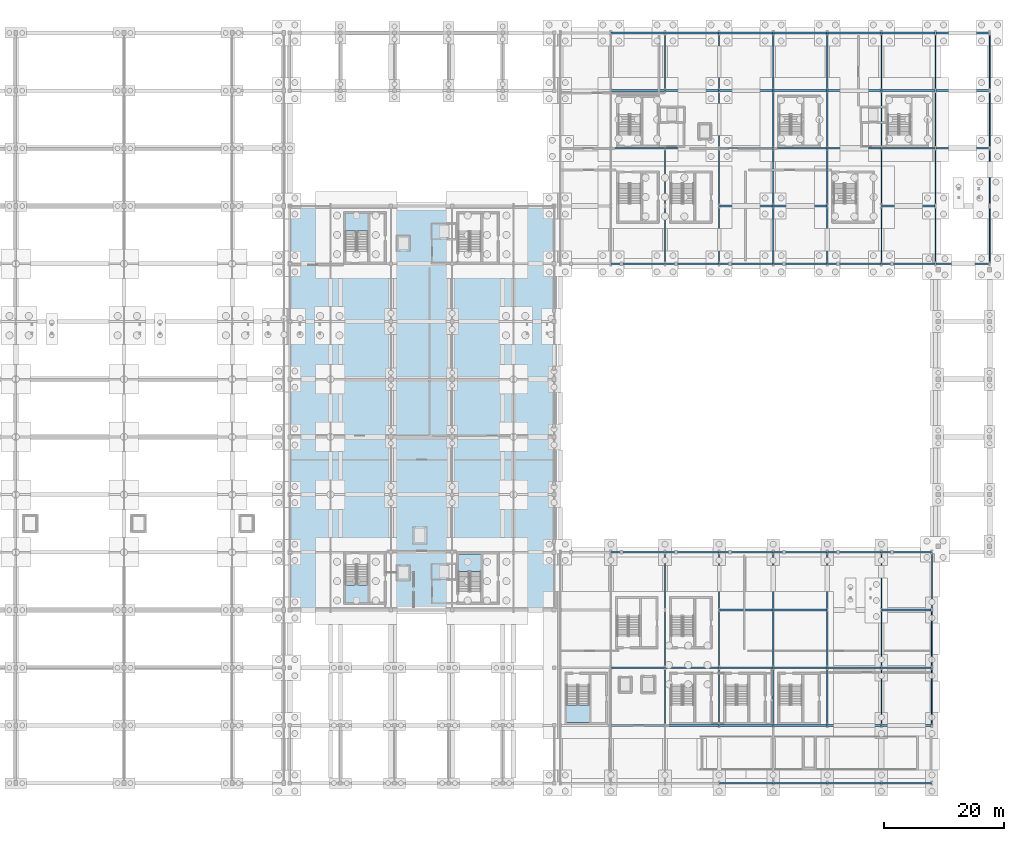
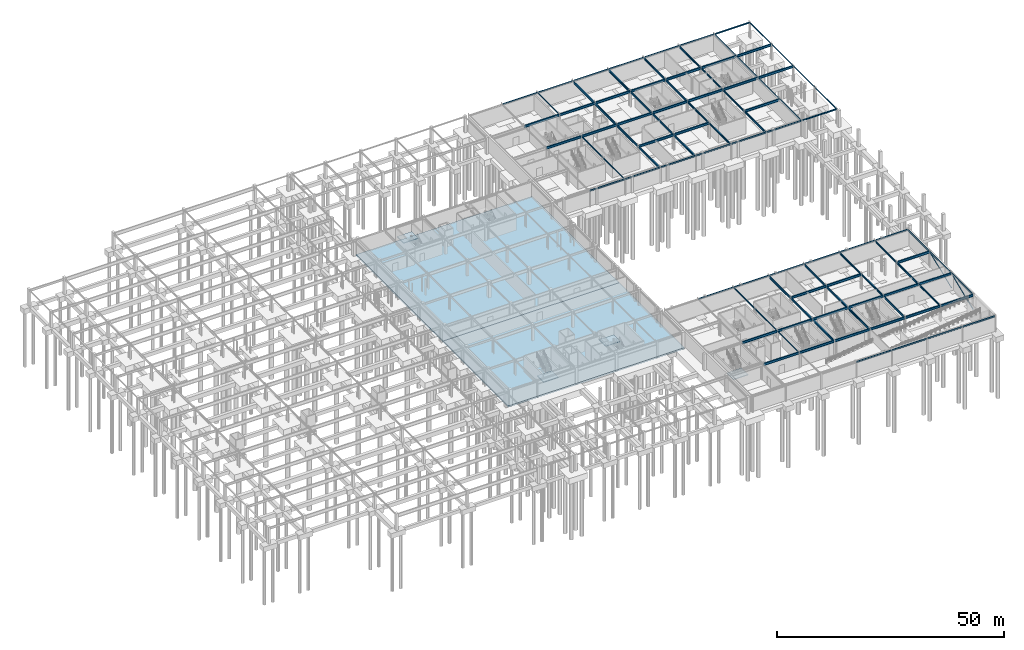
# One storey, part 33 of 59: 101 beams, 6 slabs, 2 members, 4 elements without a shape of their own.
"""IFC4 building model written with IfcOpenShell, lengths in metres."""

import ifcopenshell
import ifcopenshell.guid

model = None  # the IFC model being written
_history = None  # IfcOwnerHistory: only IFC2X3 demands one
_inside = {}  # id of a spatial element -> (the spatial element, [elements in it])
_under = {}  # id of a project, library or spatial element -> (it, [spatial elements below it])
_declared = {}  # id of a project -> (the project, [libraries it declares])
_typed = {}  # id of a type object -> (the type object, [elements of that type])
_made_of = {}  # id of a material, layer set ... -> (it, [elements and type objects made of it])


def new_model(schema):
    """Start an empty IFC model of exactly this schema.

    Asked for "IFC4X3", IfcOpenShell would pick the latest addendum, in which some entities
    have other attributes; the version numbers below select the first issue.
    IFC2X3 requires an IfcOwnerHistory on every rooted entity: one is made here for all.
    """
    global model, _history
    if schema == "IFC4X3":
        model = ifcopenshell.file(schema_version=(4, 3, 0, 0))
    else:
        model = ifcopenshell.file(schema=schema)
    _inside.clear()
    _under.clear()
    _declared.clear()
    _typed.clear()
    _made_of.clear()
    _history = None
    if model.schema == "IFC2X3":
        org = make("IfcOrganization", Name="unknown")
        user = make(
            "IfcPersonAndOrganization",
            ThePerson=make("IfcPerson", FamilyName="unknown"),
            TheOrganization=org,
        )
        app = make(
            "IfcApplication",
            ApplicationDeveloper=org,
            Version="unknown",
            ApplicationFullName="unknown",
            ApplicationIdentifier="unknown",
        )
        _history = make(
            "IfcOwnerHistory",
            OwningUser=user,
            OwningApplication=app,
            ChangeAction="ADDED",
            CreationDate=0,
        )
    return model


def make(cls, **values):
    """One entity of the class cls with the attributes given. An attribute that is None is left unset."""
    return model.create_entity(
        cls, **{name: value for name, value in values.items() if value is not None}
    )


def rooted(cls, **values):
    """An entity with a GlobalId (a new one), such as an element, a storey or a relation."""
    return make(cls, GlobalId=ifcopenshell.guid.new(), OwnerHistory=_history, **values)


def si_unit(unit_type, name, prefix=None):
    """IfcSIUnit, for example si_unit("LENGTHUNIT", "METRE", prefix="MILLI")."""
    return make("IfcSIUnit", UnitType=unit_type, Prefix=prefix, Name=name)


def assignment(units):
    """IfcUnitAssignment: the units of a project."""
    return None if units is None else make("IfcUnitAssignment", Units=units)


def point(xyz):
    """IfcCartesianPoint."""
    return None if xyz is None else make("IfcCartesianPoint", Coordinates=xyz)


def direction(xyz):
    """IfcDirection."""
    return None if xyz is None else make("IfcDirection", DirectionRatios=xyz)


def frame(location, z_axis=None, x_axis=None):
    """IfcAxis2Placement3D, a coordinate frame: its origin and axes. An axis left out is left unset."""
    return make(
        "IfcAxis2Placement3D",
        Location=point(location),
        Axis=direction(z_axis),
        RefDirection=direction(x_axis),
    )


def frame_2d(location, x_axis=None):
    """IfcAxis2Placement2D, a coordinate frame in the plane: its origin and x axis."""
    return make(
        "IfcAxis2Placement2D", Location=point(location), RefDirection=direction(x_axis)
    )


def origin():
    """The frame at (0, 0, 0) with its axes left unset."""
    return frame((0.0, 0.0, 0.0))


def origin_2d():
    """The frame at (0, 0) in the plane with its x axis left unset."""
    return frame_2d((0.0, 0.0))


def place(relative_to, where):
    """IfcLocalPlacement: puts the frame where relative to a parent placement (None: the world)."""
    return make(
        "IfcLocalPlacement", PlacementRelTo=relative_to, RelativePlacement=where
    )


def context(
    kind, dimensions, precision=None, world=None, true_north=None, identifier=None
):
    """IfcGeometricRepresentationContext, for example the 3D "Model" context."""
    return make(
        "IfcGeometricRepresentationContext",
        ContextIdentifier=identifier,
        ContextType=kind,
        CoordinateSpaceDimension=dimensions,
        Precision=precision,
        WorldCoordinateSystem=world,
        TrueNorth=true_north,
    )


def subcontext(parent, identifier, kind, view, scale=None):
    """IfcGeometricRepresentationSubContext, for example "Body" below "Model"."""
    return make(
        "IfcGeometricRepresentationSubContext",
        ContextIdentifier=identifier,
        ContextType=kind,
        ParentContext=parent,
        TargetScale=scale,
        TargetView=view,
    )


def project(units=None, contexts=None):
    """IfcProject with its units and contexts."""
    return rooted(
        "IfcProject",
        Name="project",
        RepresentationContexts=contexts,
        UnitsInContext=assignment(units),
    )


def spatial(cls, under=None, at=None, **own):
    """A site, building, storey or space (cls), placed at a placement, below another one or the project."""
    s = rooted(cls, ObjectPlacement=at, **own)
    if under is not None:
        _under.setdefault(under.id(), (under, []))[1].append(s)
    return s


def polyline(points):
    """IfcPolyline through the points."""
    return make("IfcPolyline", Points=[point(p) for p in points])


def profile(cls, at=None, kind="AREA", **sizes):
    """A parametric profile (cls). Its sizes go by their IFC names, for example OverallWidth=200.0."""
    return make(cls, ProfileType=kind, Position=at, **sizes)


def hollow_rectangle(**sizes):
    """IfcRectangleHollowProfileDef."""
    return profile("IfcRectangleHollowProfileDef", **sizes)


def hollow_circle(**sizes):
    """IfcCircleHollowProfileDef."""
    return profile("IfcCircleHollowProfileDef", **sizes)


def i_section(**sizes):
    """IfcIShapeProfileDef."""
    return profile("IfcIShapeProfileDef", **sizes)


def outline(outer, holes=None, kind="AREA"):
    """IfcArbitraryClosedProfileDef: a profile drawn as a closed curve; with holes, ...WithVoids."""
    if holes is None:
        return make("IfcArbitraryClosedProfileDef", ProfileType=kind, OuterCurve=outer)
    return make(
        "IfcArbitraryProfileDefWithVoids",
        ProfileType=kind,
        OuterCurve=outer,
        InnerCurves=holes,
    )


def extrude(swept, where, along, depth):
    """IfcExtrudedAreaSolid: the profile swept, set in the frame where, extruded along a direction by depth."""
    return make(
        "IfcExtrudedAreaSolid",
        SweptArea=swept,
        Position=where,
        ExtrudedDirection=direction(along),
        Depth=depth,
    )


def shape(context_of_items, identifier, shape_type, items):
    """IfcShapeRepresentation: the items that make up one representation, for example the "Body"."""
    return make(
        "IfcShapeRepresentation",
        ContextOfItems=context_of_items,
        RepresentationIdentifier=identifier,
        RepresentationType=shape_type,
        Items=items,
    )


def material(Name=None, Category=None):
    """IfcMaterial."""
    return make("IfcMaterial", Name=Name, Category=Category)


def layer(
    of_material, thickness, ventilated=None, Name=None, Category=None, Priority=None
):
    """IfcMaterialLayer: one layer of a wall or slab, of a material (None: an air gap)."""
    return make(
        "IfcMaterialLayer",
        Material=of_material,
        LayerThickness=thickness,
        IsVentilated=ventilated,
        Name=Name,
        Category=Category,
        Priority=Priority,
    )


def layer_set(layers, Name=None):
    """IfcMaterialLayerSet."""
    return make("IfcMaterialLayerSet", MaterialLayers=layers, LayerSetName=Name)


def material_profile(
    of_material, cross_section, Name=None, Category=None, Priority=None
):
    """IfcMaterialProfile: a cross section and its material."""
    return make(
        "IfcMaterialProfile",
        Name=Name,
        Material=of_material,
        Profile=cross_section,
        Priority=Priority,
        Category=Category,
    )


def profile_set(profiles, Name=None, composite=None):
    """IfcMaterialProfileSet."""
    return make(
        "IfcMaterialProfileSet",
        Name=Name,
        MaterialProfiles=profiles,
        CompositeProfile=composite,
    )


def made_of(thing, what):
    """Note that an element or type object is made of a material, layer set ...; save() writes the relation."""
    if what is not None:
        _made_of.setdefault(what.id(), (what, []))[1].append(thing)
    return thing


def type_object(cls, material=None, **own):
    """A type object (cls), such as IfcWallType, which elements share."""
    return made_of(rooted(cls, **own), material)


def element(
    cls,
    number,
    at=None,
    inside=None,
    cuts=None,
    type_object=None,
    material=None,
    context=None,
    identifier="Body",
    shape_type=None,
    held_by="IfcProductDefinitionShape",
    body=None,
    shapes=None,
    **own,
):
    """One element of the class cls, such as IfcWall. Its Tag is "e" and its number.

    at: its placement. inside: the storey or other place that contains it. cuts: it is an
    opening in that element (IfcRelVoidsElement). A single representation is given by context,
    identifier, shape_type and body (its items); several are given by shapes. held_by: the class
    of the entity that holds the representations. save() writes the other relations.
    """
    e = rooted(cls, Tag="e%d" % number, ObjectPlacement=at, **own)
    if body is not None:
        shapes = [shape(context, identifier, shape_type, body)]
    if shapes is not None:
        e.Representation = make(held_by, Representations=shapes)
    if inside is not None:
        _inside.setdefault(inside.id(), (inside, []))[1].append(e)
    if cuts is not None:
        rooted(
            "IfcRelVoidsElement", RelatingBuildingElement=cuts, RelatedOpeningElement=e
        )
    if type_object is not None:
        _typed.setdefault(type_object.id(), (type_object, []))[1].append(e)
    return made_of(e, material)


def aggregate(whole, parts):
    """IfcRelAggregates: a whole, such as a stair, and the parts it consists of."""
    return rooted("IfcRelAggregates", RelatingObject=whole, RelatedObjects=parts)


def save(model, path):
    """Write the relations noted so far, then the file.

    IfcRelAggregates (storeys below a building ...), IfcRelContainedInSpatialStructure (elements
    in a storey), IfcRelDefinesByType, IfcRelAssociatesMaterial and IfcRelDeclares: one each for
    every whole, place, type object, material and project.
    """
    for whole, parts in _under.values():
        aggregate(whole, parts)
    for where, things in _inside.values():
        rooted(
            "IfcRelContainedInSpatialStructure",
            RelatedElements=things,
            RelatingStructure=where,
        )
    for kind, things in _typed.values():
        rooted("IfcRelDefinesByType", RelatedObjects=things, RelatingType=kind)
    for what, things in _made_of.values():
        rooted("IfcRelAssociatesMaterial", RelatedObjects=things, RelatingMaterial=what)
    for by, libraries in _declared.values():
        rooted("IfcRelDeclares", RelatingContext=by, RelatedDefinitions=libraries)
    model.write(path)


model = new_model("IFC4")

# Units and contexts
model_context = context("Model", 3, precision=1e-05, world=origin(), true_north=direction((0.0, 1.0)))
body_context = subcontext(model_context, "Body", "Model", "MODEL_VIEW")
ifc_project = project(units=[si_unit("LENGTHUNIT", "METRE"), si_unit("AREAUNIT", "SQUARE_METRE"), si_unit("VOLUMEUNIT", "CUBIC_METRE"), si_unit("PLANEANGLEUNIT", "RADIAN"), si_unit("MASSUNIT", "GRAM", prefix="KILO")], contexts=[model_context])

# Site, building, storey
site_placement = place(None, origin())
site = spatial("IfcSite", under=ifc_project, at=site_placement, CompositionType="ELEMENT")
building_placement = place(site_placement, origin())
building = spatial("IfcBuilding", under=site, at=building_placement, Name="Myrtia Square Station", CompositionType="ELEMENT")
storey_placement = place(building_placement, frame((0.0, 0.0, -4.5)))
storey = spatial("IfcBuildingStorey", under=building, at=storey_placement, Name="B01", CompositionType="ELEMENT", Elevation=-4.5)

# Beams
ifc_material_1 = material(Name="Steel S355", Category="steel")
ifc_material_profile_1 = material_profile(ifc_material_1, i_section(OverallWidth=0.300048828125, OverallDepth=0.60009765625, WebThickness=0.015380859375, FlangeThickness=0.030029296875, FilletRadius=0.027099609375, at=origin_2d()), Name="HEB 600")
ifc_profile_set_1 = profile_set([ifc_material_profile_1], Name="Steel S355")
beam_type_1 = type_object("IfcBeamType", Name="BM-HEB600", PredefinedType="BEAM", material=ifc_profile_set_1)
for number, where, z_axis, x_axis, name in (
    (1, (126.050048828125, 9.60009765625, 3.929931640625), (1.0, 0.0, 0.0), (0.0, 1.0, 0.0), "Structural girder BMX-B01-0141"),
    (2, (135.050048828125, 9.60009765625, 3.929931640625), (1.0, 0.0, 0.0), (0.0, 1.0, 0.0), "Structural girder BMX-B01-0142"),
    (3, (144.050048828125, 9.60009765625, 3.929931640625), (1.0, 0.0, 0.0), (0.0, 1.0, 0.0), "Structural girder BMX-B01-0143"),
    (4, (153.050048828125, 9.60009765625, 3.929931640625), (1.0, 0.0, 0.0), (0.0, 1.0, 0.0), "Structural girder BMX-B01-0144"),
    (5, (162.050048828125, 9.60009765625, 3.929931640625), (1.0, 0.0, 0.0), (0.0, 1.0, 0.0), "Structural girder BMX-B01-0145"),
):
    element("IfcBeam", number, at=place(storey_placement, frame(where, z_axis=z_axis, x_axis=x_axis)), inside=storey, type_object=beam_type_1, Name=name, PredefinedType="BEAM", context=body_context, shape_type="SweptSolid", body=[
        extrude(i_section(OverallWidth=0.300048828125, OverallDepth=0.60009765625, WebThickness=0.015380859375, FlangeThickness=0.030029296875, FilletRadius=0.027099609375, at=origin_2d()), origin(), (0.0, 0.0, 1.0), 8.89990234375),
    ])
beam_1_placement = place(storey_placement, frame((171.050048828125, 9.60009765625, 3.929931640625), z_axis=(1.0, 0.0, 0.0), x_axis=(0.0, 1.0, 0.0)))
element("IfcBeam", 6, at=beam_1_placement, inside=storey, type_object=beam_type_1, Name="Structural girder BMX-B01-0146", PredefinedType="BEAM", context=body_context, shape_type="SweptSolid", body=[
    extrude(i_section(OverallWidth=0.300048828125, OverallDepth=0.60009765625, WebThickness=0.015380859375, FlangeThickness=0.030029296875, FilletRadius=0.027099609375, at=origin_2d()), origin(), (0.0, 0.0, 1.0), 8.300048828125),
])
for number, where, z_axis, x_axis, name in (
    (7, (126.050048828125, 19.199951171875, 3.929931640625), (1.0, 0.0, 0.0), (0.0, 1.0, 0.0), "Structural girder BMX-B01-0148"),
    (8, (135.050048828125, 19.199951171875, 3.929931640625), (1.0, 0.0, 0.0), (0.0, 1.0, 0.0), "Structural girder BMX-B01-0149"),
    (9, (144.050048828125, 19.199951171875, 3.929931640625), (1.0, 0.0, 0.0), (0.0, 1.0, 0.0), "Structural girder BMX-B01-0150"),
    (10, (153.050048828125, 19.199951171875, 3.929931640625), (1.0, 0.0, 0.0), (0.0, 1.0, 0.0), "Structural girder BMX-B01-0151"),
    (11, (162.050048828125, 19.199951171875, 3.929931640625), (1.0, 0.0, 0.0), (0.0, 1.0, 0.0), "Structural girder BMX-B01-0152"),
):
    element("IfcBeam", number, at=place(storey_placement, frame(where, z_axis=z_axis, x_axis=x_axis)), inside=storey, type_object=beam_type_1, Name=name, PredefinedType="BEAM", context=body_context, shape_type="SweptSolid", body=[
        extrude(i_section(OverallWidth=0.300048828125, OverallDepth=0.60009765625, WebThickness=0.015380859375, FlangeThickness=0.030029296875, FilletRadius=0.027099609375, at=origin_2d()), origin(), (0.0, 0.0, 1.0), 8.89990234375),
    ])
beam_2_placement = place(storey_placement, frame((171.050048828125, 19.199951171875, 3.929931640625), z_axis=(1.0, 0.0, 0.0), x_axis=(0.0, 1.0, 0.0)))
element("IfcBeam", 12, at=beam_2_placement, inside=storey, type_object=beam_type_1, Name="Structural girder BMX-B01-0153", PredefinedType="BEAM", context=body_context, shape_type="SweptSolid", body=[
    extrude(i_section(OverallWidth=0.300048828125, OverallDepth=0.60009765625, WebThickness=0.015380859375, FlangeThickness=0.030029296875, FilletRadius=0.027099609375, at=origin_2d()), origin(), (0.0, 0.0, 1.0), 8.300048828125),
])
for number, where, z_axis, x_axis, name in (
    (13, (144.050048828125, 28.800048828125, 3.929931640625), (1.0, 0.0, 0.0), (0.0, 1.0, 0.0), "Structural girder BMX-B01-0155"),
    (14, (153.050048828125, 28.800048828125, 3.929931640625), (1.0, 0.0, 0.0), (0.0, 1.0, 0.0), "Structural girder BMX-B01-0156"),
):
    element("IfcBeam", number, at=place(storey_placement, frame(where, z_axis=z_axis, x_axis=x_axis)), inside=storey, type_object=beam_type_1, Name=name, PredefinedType="BEAM", context=body_context, shape_type="SweptSolid", body=[
        extrude(i_section(OverallWidth=0.300048828125, OverallDepth=0.60009765625, WebThickness=0.015380859375, FlangeThickness=0.030029296875, FilletRadius=0.027099609375, at=origin_2d()), origin(), (0.0, 0.0, 1.0), 8.89990234375),
    ])
beam_3_placement = place(storey_placement, frame((171.050048828125, 28.800048828125, 3.929931640625), z_axis=(1.0, 0.0, 0.0), x_axis=(0.0, 1.0, 0.0)))
element("IfcBeam", 15, at=beam_3_placement, inside=storey, type_object=beam_type_1, Name="Structural girder BMX-B01-0157", PredefinedType="BEAM", context=body_context, shape_type="SweptSolid", body=[
    extrude(i_section(OverallWidth=0.300048828125, OverallDepth=0.60009765625, WebThickness=0.015380859375, FlangeThickness=0.030029296875, FilletRadius=0.027099609375, at=origin_2d()), origin(), (0.0, 0.0, 1.0), 8.300048828125),
])
for number, where, z_axis, x_axis, name in (
    (16, (144.050048828125, 96.0, 3.929931640625), (1.0, 0.0, 0.0), (0.0, 1.0, 0.0), "Structural girder BMX-B01-0191"),
    (17, (153.050048828125, 96.0, 3.929931640625), (1.0, 0.0, 0.0), (0.0, 1.0, 0.0), "Structural girder BMX-B01-0192"),
    (18, (171.050048828125, 96.0, 3.929931640625), (1.0, 0.0, 0.0), (0.0, 1.0, 0.0), "Structural girder BMX-B01-0193"),
    (19, (126.050048828125, 105.60009765625, 3.929931640625), (1.0, 0.0, 0.0), (0.0, 1.0, 0.0), "Structural girder BMX-B01-0195"),
    (20, (135.050048828125, 105.60009765625, 3.929931640625), (1.0, 0.0, 0.0), (0.0, 1.0, 0.0), "Structural girder BMX-B01-0196"),
    (21, (144.050048828125, 105.60009765625, 3.929931640625), (1.0, 0.0, 0.0), (0.0, 1.0, 0.0), "Structural girder BMX-B01-0197"),
    (22, (153.050048828125, 105.60009765625, 3.929931640625), (1.0, 0.0, 0.0), (0.0, 1.0, 0.0), "Structural girder BMX-B01-0198"),
    (23, (162.050048828125, 105.60009765625, 3.929931640625), (1.0, 0.0, 0.0), (0.0, 1.0, 0.0), "Structural girder BMX-B01-0199"),
    (24, (171.050048828125, 105.60009765625, 3.929931640625), (1.0, 0.0, 0.0), (0.0, 1.0, 0.0), "Structural girder BMX-B01-0200"),
    (25, (180.050048828125, 105.60009765625, 3.929931640625), (1.0, 0.0, 0.0), (0.0, 1.0, 0.0), "Structural girder BMX-B01-0201"),
    (26, (126.050048828125, 115.199951171875, 3.929931640625), (1.0, 0.0, 0.0), (0.0, 1.0, 0.0), "Structural girder BMX-B01-0208"),
    (27, (135.050048828125, 115.199951171875, 3.929931640625), (1.0, 0.0, 0.0), (0.0, 1.0, 0.0), "Structural girder BMX-B01-0209"),
    (28, (144.050048828125, 115.199951171875, 3.929931640625), (1.0, 0.0, 0.0), (0.0, 1.0, 0.0), "Structural girder BMX-B01-0210"),
    (29, (153.050048828125, 115.199951171875, 3.929931640625), (1.0, 0.0, 0.0), (0.0, 1.0, 0.0), "Structural girder BMX-B01-0211"),
    (30, (162.050048828125, 115.199951171875, 3.929931640625), (1.0, 0.0, 0.0), (0.0, 1.0, 0.0), "Structural girder BMX-B01-0212"),
    (31, (171.050048828125, 115.199951171875, 3.929931640625), (1.0, 0.0, 0.0), (0.0, 1.0, 0.0), "Structural girder BMX-B01-0213"),
    (32, (180.050048828125, 115.199951171875, 3.929931640625), (1.0, 0.0, 0.0), (0.0, 1.0, 0.0), "Structural girder BMX-B01-0214"),
):
    element("IfcBeam", number, at=place(storey_placement, frame(where, z_axis=z_axis, x_axis=x_axis)), inside=storey, type_object=beam_type_1, Name=name, PredefinedType="BEAM", context=body_context, shape_type="SweptSolid", body=[
        extrude(i_section(OverallWidth=0.300048828125, OverallDepth=0.60009765625, WebThickness=0.015380859375, FlangeThickness=0.030029296875, FilletRadius=0.027099609375, at=origin_2d()), origin(), (0.0, 0.0, 1.0), 8.89990234375),
    ])
ifc_material_profile_2 = material_profile(ifc_material_1, i_section(OverallWidth=0.135009765625, OverallDepth=0.27001953125, WebThickness=0.006591796875, FlangeThickness=0.01025390625, FilletRadius=0.014892578125, at=origin_2d()), Name="IPE 270")
ifc_profile_set_2 = profile_set([ifc_material_profile_2], Name="Steel S355")
beam_type_2 = type_object("IfcBeamType", Name="BM-IPE270", PredefinedType="BEAM", material=ifc_profile_set_2)
for number, where, z_axis, x_axis, name in (
    (33, (135.0, 9.64990234375, 4.094970703125), (0.0, 1.0, 0.0), (-1.0, 0.0, 0.0), "Structural girder BMY-B01-0172"),
    (34, (135.0, 19.25, 4.094970703125), (0.0, 1.0, 0.0), (-1.0, 0.0, 0.0), "Structural girder BMY-B01-0173"),
    (35, (135.0, 28.85009765625, 4.094970703125), (0.0, 1.0, 0.0), (-1.0, 0.0, 0.0), "Structural girder BMY-B01-0174"),
    (36, (135.0, 86.449951171875, 4.094970703125), (0.0, 1.0, 0.0), (-1.0, 0.0, 0.0), "Structural girder BMY-B01-0228"),
    (37, (135.0, 96.050048828125, 4.094970703125), (0.0, 1.0, 0.0), (-1.0, 0.0, 0.0), "Structural girder BMY-B01-0229"),
    (38, (135.0, 115.25, 4.094970703125), (0.0, 1.0, 0.0), (-1.0, 0.0, 0.0), "Structural girder BMY-B01-0230"),
):
    element("IfcBeam", number, at=place(storey_placement, frame(where, z_axis=z_axis, x_axis=x_axis)), inside=storey, type_object=beam_type_2, Name=name, PredefinedType="BEAM", context=body_context, shape_type="SweptSolid", body=[
        extrude(i_section(OverallWidth=0.135009765625, OverallDepth=0.27001953125, WebThickness=0.006591796875, FlangeThickness=0.01025390625, FilletRadius=0.014892578125, at=origin_2d()), origin(), (0.0, 0.0, 1.0), 9.5),
    ])
ifc_material_profile_3 = material_profile(ifc_material_1, i_section(OverallWidth=0.179931640625, OverallDepth=0.39990234375, WebThickness=0.008544921875, FlangeThickness=0.013427734375, FilletRadius=0.02099609375, at=origin_2d()), Name="IPE 400")
ifc_profile_set_3 = profile_set([ifc_material_profile_3], Name="Steel S355")
beam_type_3 = type_object("IfcBeamType", Name="BM-IPE400", PredefinedType="BEAM", material=ifc_profile_set_3)
for number, where, z_axis, x_axis, name in (
    (39, (179.39990234375, 9.64990234375, 4.030029296875), (0.0, 1.0, 0.0), (-1.0, 0.0, 0.0), "Structural girder BMY-B01-0187"),
    (40, (179.39990234375, 19.25, 4.030029296875), (0.0, 1.0, 0.0), (-1.0, 0.0, 0.0), "Structural girder BMY-B01-0188"),
    (41, (179.39990234375, 28.85009765625, 4.030029296875), (0.0, 1.0, 0.0), (-1.0, 0.0, 0.0), "Structural girder BMY-B01-0189"),
    (42, (180.0, 86.449951171875, 4.030029296875), (0.0, 1.0, 0.0), (-1.0, 0.0, 0.0), "Structural girder BMY-B01-0247"),
    (43, (180.0, 96.050048828125, 4.030029296875), (0.0, 1.0, 0.0), (-1.0, 0.0, 0.0), "Structural girder BMY-B01-0248"),
    (44, (180.0, 105.64990234375, 4.030029296875), (0.0, 1.0, 0.0), (-1.0, 0.0, 0.0), "Structural girder BMY-B01-0249"),
    (45, (180.0, 115.25, 4.030029296875), (0.0, 1.0, 0.0), (-1.0, 0.0, 0.0), "Structural girder BMY-B01-0250"),
):
    element("IfcBeam", number, at=place(storey_placement, frame(where, z_axis=z_axis, x_axis=x_axis)), inside=storey, type_object=beam_type_3, Name=name, PredefinedType="BEAM", context=body_context, shape_type="SweptSolid", body=[
        extrude(i_section(OverallWidth=0.179931640625, OverallDepth=0.39990234375, WebThickness=0.008544921875, FlangeThickness=0.013427734375, FilletRadius=0.02099609375, at=origin_2d()), origin(), (0.0, 0.0, 1.0), 9.5),
    ])
ifc_material_profile_4 = material_profile(ifc_material_1, i_section(OverallWidth=0.18994140625, OverallDepth=0.449951171875, WebThickness=0.009521484375, FlangeThickness=0.0146484375, FilletRadius=0.02099609375, at=origin_2d()), Name="IPE 450")
ifc_profile_set_4 = profile_set([ifc_material_profile_4], Name="Steel S355")
beam_type_4 = type_object("IfcBeamType", Name="BM-IPE450", PredefinedType="BEAM", material=ifc_profile_set_4)
for number, where, z_axis, x_axis, name in (
    (46, (171.0, 9.64990234375, 4.0048828125), (0.0, 1.0, 0.0), (-1.0, 0.0, 0.0), "Structural girder BMY-B01-0184"),
    (47, (171.0, 19.25, 4.0048828125), (0.0, 1.0, 0.0), (-1.0, 0.0, 0.0), "Structural girder BMY-B01-0185"),
    (48, (171.0, 28.85009765625, 4.0048828125), (0.0, 1.0, 0.0), (-1.0, 0.0, 0.0), "Structural girder BMY-B01-0186"),
    (49, (171.0, 86.449951171875, 4.0048828125), (0.0, 1.0, 0.0), (-1.0, 0.0, 0.0), "Structural girder BMY-B01-0243"),
    (50, (171.0, 96.050048828125, 4.0048828125), (0.0, 1.0, 0.0), (-1.0, 0.0, 0.0), "Structural girder BMY-B01-0244"),
    (51, (171.0, 105.64990234375, 4.0048828125), (0.0, 1.0, 0.0), (-1.0, 0.0, 0.0), "Structural girder BMY-B01-0245"),
    (52, (171.0, 115.25, 4.0048828125), (0.0, 1.0, 0.0), (-1.0, 0.0, 0.0), "Structural girder BMY-B01-0246"),
):
    element("IfcBeam", number, at=place(storey_placement, frame(where, z_axis=z_axis, x_axis=x_axis)), inside=storey, type_object=beam_type_4, Name=name, PredefinedType="BEAM", context=body_context, shape_type="SweptSolid", body=[
        extrude(i_section(OverallWidth=0.18994140625, OverallDepth=0.449951171875, WebThickness=0.009521484375, FlangeThickness=0.0146484375, FilletRadius=0.02099609375, at=origin_2d()), origin(), (0.0, 0.0, 1.0), 9.5),
    ])
ifc_material_profile_5 = material_profile(ifc_material_1, i_section(OverallWidth=0.199951171875, OverallDepth=0.5, WebThickness=0.01025390625, FlangeThickness=0.01611328125, FilletRadius=0.02099609375, at=origin_2d()), Name="IPE 500")
ifc_profile_set_5 = profile_set([ifc_material_profile_5], Name="Steel S355")
beam_type_5 = type_object("IfcBeamType", Name="BM-IPE500", PredefinedType="BEAM", material=ifc_profile_set_5)
for number, where, z_axis, x_axis, name in (
    (53, (162.0, 9.64990234375, 3.97998046875), (0.0, 1.0, 0.0), (-1.0, 0.0, 0.0), "Structural girder BMY-B01-0181"),
    (54, (162.0, 19.25, 3.97998046875), (0.0, 1.0, 0.0), (-1.0, 0.0, 0.0), "Structural girder BMY-B01-0182"),
    (55, (162.0, 28.85009765625, 3.97998046875), (0.0, 1.0, 0.0), (-1.0, 0.0, 0.0), "Structural girder BMY-B01-0183"),
    (56, (162.0, 86.449951171875, 3.97998046875), (0.0, 1.0, 0.0), (-1.0, 0.0, 0.0), "Structural girder BMY-B01-0239"),
    (57, (162.0, 96.050048828125, 3.97998046875), (0.0, 1.0, 0.0), (-1.0, 0.0, 0.0), "Structural girder BMY-B01-0240"),
    (58, (162.0, 105.64990234375, 3.97998046875), (0.0, 1.0, 0.0), (-1.0, 0.0, 0.0), "Structural girder BMY-B01-0241"),
    (59, (162.0, 115.25, 3.97998046875), (0.0, 1.0, 0.0), (-1.0, 0.0, 0.0), "Structural girder BMY-B01-0242"),
):
    element("IfcBeam", number, at=place(storey_placement, frame(where, z_axis=z_axis, x_axis=x_axis)), inside=storey, type_object=beam_type_5, Name=name, PredefinedType="BEAM", context=body_context, shape_type="SweptSolid", body=[
        extrude(i_section(OverallWidth=0.199951171875, OverallDepth=0.5, WebThickness=0.01025390625, FlangeThickness=0.01611328125, FilletRadius=0.02099609375, at=origin_2d()), origin(), (0.0, 0.0, 1.0), 9.5),
    ])
ifc_material_profile_6 = material_profile(ifc_material_1, i_section(OverallWidth=0.2099609375, OverallDepth=0.550048828125, WebThickness=0.010986328125, FlangeThickness=0.01708984375, FilletRadius=0.02392578125, at=origin_2d()), Name="IPE 550")
ifc_profile_set_6 = profile_set([ifc_material_profile_6], Name="Steel S355")
beam_type_6 = type_object("IfcBeamType", Name="BM-IPE550", PredefinedType="BEAM", material=ifc_profile_set_6)
for number, where, z_axis, x_axis, name in (
    (60, (153.0, 9.64990234375, 3.955078125), (0.0, 1.0, 0.0), (-1.0, 0.0, 0.0), "Structural girder BMY-B01-0178"),
    (61, (153.0, 19.25, 3.955078125), (0.0, 1.0, 0.0), (-1.0, 0.0, 0.0), "Structural girder BMY-B01-0179"),
    (62, (153.0, 28.85009765625, 3.955078125), (0.0, 1.0, 0.0), (-1.0, 0.0, 0.0), "Structural girder BMY-B01-0180"),
    (63, (153.0, 86.449951171875, 3.955078125), (0.0, 1.0, 0.0), (-1.0, 0.0, 0.0), "Structural girder BMY-B01-0235"),
    (64, (153.0, 96.050048828125, 3.955078125), (0.0, 1.0, 0.0), (-1.0, 0.0, 0.0), "Structural girder BMY-B01-0236"),
    (65, (153.0, 105.64990234375, 3.955078125), (0.0, 1.0, 0.0), (-1.0, 0.0, 0.0), "Structural girder BMY-B01-0237"),
    (66, (153.0, 115.25, 3.955078125), (0.0, 1.0, 0.0), (-1.0, 0.0, 0.0), "Structural girder BMY-B01-0238"),
):
    element("IfcBeam", number, at=place(storey_placement, frame(where, z_axis=z_axis, x_axis=x_axis)), inside=storey, type_object=beam_type_6, Name=name, PredefinedType="BEAM", context=body_context, shape_type="SweptSolid", body=[
        extrude(i_section(OverallWidth=0.2099609375, OverallDepth=0.550048828125, WebThickness=0.010986328125, FlangeThickness=0.01708984375, FilletRadius=0.02392578125, at=origin_2d()), origin(), (0.0, 0.0, 1.0), 9.5),
    ])
ifc_material_profile_7 = material_profile(ifc_material_1, i_section(OverallWidth=0.219970703125, OverallDepth=0.60009765625, WebThickness=0.011962890625, FlangeThickness=0.01904296875, FilletRadius=0.02392578125, at=origin_2d()), Name="IPE 600")
ifc_profile_set_7 = profile_set([ifc_material_profile_7], Name="Steel S355")
beam_type_7 = type_object("IfcBeamType", Name="BM-IPE600", PredefinedType="BEAM", material=ifc_profile_set_7)
for number, where, z_axis, x_axis, name in (
    (67, (144.0, 9.64990234375, 3.929931640625), (0.0, 1.0, 0.0), (-1.0, 0.0, 0.0), "Structural girder BMY-B01-0175"),
    (68, (144.0, 19.25, 3.929931640625), (0.0, 1.0, 0.0), (-1.0, 0.0, 0.0), "Structural girder BMY-B01-0176"),
    (69, (144.0, 28.85009765625, 3.929931640625), (0.0, 1.0, 0.0), (-1.0, 0.0, 0.0), "Structural girder BMY-B01-0177"),
    (70, (144.0, 86.449951171875, 3.929931640625), (0.0, 1.0, 0.0), (-1.0, 0.0, 0.0), "Structural girder BMY-B01-0231"),
    (71, (144.0, 96.050048828125, 3.929931640625), (0.0, 1.0, 0.0), (-1.0, 0.0, 0.0), "Structural girder BMY-B01-0232"),
    (72, (144.0, 105.64990234375, 3.929931640625), (0.0, 1.0, 0.0), (-1.0, 0.0, 0.0), "Structural girder BMY-B01-0233"),
    (73, (144.0, 115.25, 3.929931640625), (0.0, 1.0, 0.0), (-1.0, 0.0, 0.0), "Structural girder BMY-B01-0234"),
):
    element("IfcBeam", number, at=place(storey_placement, frame(where, z_axis=z_axis, x_axis=x_axis)), inside=storey, type_object=beam_type_7, Name=name, PredefinedType="BEAM", context=body_context, shape_type="SweptSolid", body=[
        extrude(i_section(OverallWidth=0.219970703125, OverallDepth=0.60009765625, WebThickness=0.011962890625, FlangeThickness=0.01904296875, FilletRadius=0.02392578125, at=origin_2d()), origin(), (0.0, 0.0, 1.0), 9.5),
    ])

# Members
ifc_material_profile_8 = material_profile(ifc_material_1, hollow_circle(Radius=0.06982421875, WallThickness=0.008056640625, at=origin_2d()), Name="CHS 139.7x8")
ifc_profile_set_8 = profile_set([ifc_material_profile_8], Name="Steel S355")
member_type = type_object("IfcMemberType", Name="BRC-CHS139", PredefinedType="BRACE", material=ifc_profile_set_8)
member_1_placement = place(storey_placement, frame((179.39990234375, 9.60009765625, 0.10009765625), z_axis=(0.0, 0.924777429869, 0.380508482436), x_axis=(-1.0, 0.0, 0.0)))
element("IfcMember", 74, at=member_1_placement, inside=storey, type_object=member_type, Name="Seismic concentrically braced frame BF-B01-07", PredefinedType="BRACE", context=body_context, shape_type="SweptSolid", body=[
    extrude(hollow_circle(Radius=0.06982421875, WallThickness=0.008056640625, at=origin_2d()), origin(), (0.0, 0.0, 1.0), 10.380615234375),
])
member_2_placement = place(storey_placement, frame((179.39990234375, 19.199951171875, 0.10009765625), z_axis=(0.0, 0.924780834948, 0.380500206719), x_axis=(-1.0, 0.0, 0.0)))
element("IfcMember", 75, at=member_2_placement, inside=storey, type_object=member_type, Name="Seismic concentrically braced frame BF-B01-08", PredefinedType="BRACE", context=body_context, shape_type="SweptSolid", body=[
    extrude(hollow_circle(Radius=0.06982421875, WallThickness=0.008056640625, at=origin_2d()), origin(), (0.0, 0.0, 1.0), 10.380859375),
])

# Beams
ifc_material_profile_9 = material_profile(ifc_material_1, i_section(OverallWidth=0.280029296875, OverallDepth=0.280029296875, WebThickness=0.010498046875, FlangeThickness=0.01806640625, FilletRadius=0.02392578125, at=origin_2d()), Name="HEB 280")
ifc_profile_set_9 = profile_set([ifc_material_profile_9], Name="Steel S355")
beam_type_8 = type_object("IfcBeamType", Name="SPN-HEB280", PredefinedType="SPANDREL", material=ifc_profile_set_9)
for number, where, z_axis, x_axis, name in (
    (76, (144.050048828125, 0.0, 4.090087890625), (1.0, 0.0, 0.0), (0.0, 1.0, 0.0), "Structural girder SPN-B01-0033"),
    (77, (153.050048828125, 0.0, 4.090087890625), (1.0, 0.0, 0.0), (0.0, 1.0, 0.0), "Structural girder SPN-B01-0034"),
    (78, (162.050048828125, 0.0, 4.090087890625), (1.0, 0.0, 0.0), (0.0, 1.0, 0.0), "Structural girder SPN-B01-0035"),
):
    element("IfcBeam", number, at=place(storey_placement, frame(where, z_axis=z_axis, x_axis=x_axis)), inside=storey, type_object=beam_type_8, Name=name, PredefinedType="SPANDREL", context=body_context, shape_type="SweptSolid", body=[
        extrude(i_section(OverallWidth=0.280029296875, OverallDepth=0.280029296875, WebThickness=0.010498046875, FlangeThickness=0.01806640625, FilletRadius=0.02392578125, at=origin_2d()), origin(), (0.0, 0.0, 1.0), 8.89990234375),
    ])
beam_4_placement = place(storey_placement, frame((171.050048828125, 0.0, 4.090087890625), z_axis=(1.0, 0.0, 0.0), x_axis=(0.0, 1.0, 0.0)))
element("IfcBeam", 79, at=beam_4_placement, inside=storey, type_object=beam_type_8, Name="Structural girder SPN-B01-0036", PredefinedType="SPANDREL", context=body_context, shape_type="SweptSolid", body=[
    extrude(i_section(OverallWidth=0.280029296875, OverallDepth=0.280029296875, WebThickness=0.010498046875, FlangeThickness=0.01806640625, FilletRadius=0.02392578125, at=origin_2d()), origin(), (0.0, 0.0, 1.0), 8.300048828125),
])
for number, where, z_axis, x_axis, name in (
    (80, (126.050048828125, 38.39990234375, 4.090087890625), (1.0, 0.0, 0.0), (0.0, 1.0, 0.0), "Structural girder SPN-B01-0038"),
    (81, (135.050048828125, 38.39990234375, 4.090087890625), (1.0, 0.0, 0.0), (0.0, 1.0, 0.0), "Structural girder SPN-B01-0039"),
    (82, (144.050048828125, 38.39990234375, 4.090087890625), (1.0, 0.0, 0.0), (0.0, 1.0, 0.0), "Structural girder SPN-B01-0040"),
    (83, (153.050048828125, 38.39990234375, 4.090087890625), (1.0, 0.0, 0.0), (0.0, 1.0, 0.0), "Structural girder SPN-B01-0041"),
    (84, (162.050048828125, 38.39990234375, 4.090087890625), (1.0, 0.0, 0.0), (0.0, 1.0, 0.0), "Structural girder SPN-B01-0042"),
):
    element("IfcBeam", number, at=place(storey_placement, frame(where, z_axis=z_axis, x_axis=x_axis)), inside=storey, type_object=beam_type_8, Name=name, PredefinedType="SPANDREL", context=body_context, shape_type="SweptSolid", body=[
        extrude(i_section(OverallWidth=0.280029296875, OverallDepth=0.280029296875, WebThickness=0.010498046875, FlangeThickness=0.01806640625, FilletRadius=0.02392578125, at=origin_2d()), origin(), (0.0, 0.0, 1.0), 8.89990234375),
    ])
beam_5_placement = place(storey_placement, frame((171.050048828125, 38.39990234375, 4.090087890625), z_axis=(1.0, 0.0, 0.0), x_axis=(0.0, 1.0, 0.0)))
element("IfcBeam", 85, at=beam_5_placement, inside=storey, type_object=beam_type_8, Name="Structural girder SPN-B01-0043", PredefinedType="SPANDREL", context=body_context, shape_type="SweptSolid", body=[
    extrude(i_section(OverallWidth=0.280029296875, OverallDepth=0.280029296875, WebThickness=0.010498046875, FlangeThickness=0.01806640625, FilletRadius=0.02392578125, at=origin_2d()), origin(), (0.0, 0.0, 1.0), 8.300048828125),
])
for number, where, z_axis, x_axis, name in (
    (86, (126.050048828125, 86.39990234375, 4.090087890625), (1.0, 0.0, 0.0), (0.0, 1.0, 0.0), "Structural girder SPN-B01-0046"),
    (87, (135.050048828125, 86.39990234375, 4.090087890625), (1.0, 0.0, 0.0), (0.0, 1.0, 0.0), "Structural girder SPN-B01-0047"),
    (88, (144.050048828125, 86.39990234375, 4.090087890625), (1.0, 0.0, 0.0), (0.0, 1.0, 0.0), "Structural girder SPN-B01-0048"),
    (89, (153.050048828125, 86.39990234375, 4.090087890625), (1.0, 0.0, 0.0), (0.0, 1.0, 0.0), "Structural girder SPN-B01-0049"),
    (90, (162.050048828125, 86.39990234375, 4.090087890625), (1.0, 0.0, 0.0), (0.0, 1.0, 0.0), "Structural girder SPN-B01-0050"),
    (91, (171.050048828125, 86.39990234375, 4.090087890625), (1.0, 0.0, 0.0), (0.0, 1.0, 0.0), "Structural girder SPN-B01-0051"),
    (92, (180.050048828125, 86.39990234375, 4.090087890625), (1.0, 0.0, 0.0), (0.0, 1.0, 0.0), "Structural girder SPN-B01-0052"),
    (93, (126.050048828125, 124.800048828125, 4.090087890625), (1.0, 0.0, 0.0), (0.0, 1.0, 0.0), "Structural girder SPN-B01-0059"),
    (94, (135.050048828125, 124.800048828125, 4.090087890625), (1.0, 0.0, 0.0), (0.0, 1.0, 0.0), "Structural girder SPN-B01-0060"),
    (95, (144.050048828125, 124.800048828125, 4.090087890625), (1.0, 0.0, 0.0), (0.0, 1.0, 0.0), "Structural girder SPN-B01-0061"),
    (96, (153.050048828125, 124.800048828125, 4.090087890625), (1.0, 0.0, 0.0), (0.0, 1.0, 0.0), "Structural girder SPN-B01-0062"),
    (97, (162.050048828125, 124.800048828125, 4.090087890625), (1.0, 0.0, 0.0), (0.0, 1.0, 0.0), "Structural girder SPN-B01-0063"),
    (98, (171.050048828125, 124.800048828125, 4.090087890625), (1.0, 0.0, 0.0), (0.0, 1.0, 0.0), "Structural girder SPN-B01-0064"),
    (99, (180.050048828125, 124.800048828125, 4.090087890625), (1.0, 0.0, 0.0), (0.0, 1.0, 0.0), "Structural girder SPN-B01-0065"),
):
    element("IfcBeam", number, at=place(storey_placement, frame(where, z_axis=z_axis, x_axis=x_axis)), inside=storey, type_object=beam_type_8, Name=name, PredefinedType="SPANDREL", context=body_context, shape_type="SweptSolid", body=[
        extrude(i_section(OverallWidth=0.280029296875, OverallDepth=0.280029296875, WebThickness=0.010498046875, FlangeThickness=0.01806640625, FilletRadius=0.02392578125, at=origin_2d()), origin(), (0.0, 0.0, 1.0), 8.89990234375),
    ])
ifc_material_profile_10 = material_profile(ifc_material_1, hollow_rectangle(XDim=0.14990234375, YDim=0.25, WallThickness=0.012451171875, InnerFilletRadius=0.012451171875, OuterFilletRadius=0.02490234375, at=origin_2d()), Name="RHS 250x150x12.5")
ifc_profile_set_10 = profile_set([ifc_material_profile_10], Name="Steel S355")
beam_type_9 = type_object("IfcBeamType", Name="SPN-RHS250", PredefinedType="SPANDREL", material=ifc_profile_set_10)
for number, where, z_axis, x_axis, name in (
    (100, (189.0, 86.449951171875, 4.10498046875), (0.0, 1.0, 0.0), (-1.0, 0.0, 0.0), "Structural girder SPNY-B01-0067"),
    (101, (189.0, 96.050048828125, 4.10498046875), (0.0, 1.0, 0.0), (-1.0, 0.0, 0.0), "Structural girder SPNY-B01-0068"),
    (102, (189.0, 105.64990234375, 4.10498046875), (0.0, 1.0, 0.0), (-1.0, 0.0, 0.0), "Structural girder SPNY-B01-0069"),
    (103, (189.0, 115.25, 4.10498046875), (0.0, 1.0, 0.0), (-1.0, 0.0, 0.0), "Structural girder SPNY-B01-0070"),
):
    element("IfcBeam", number, at=place(storey_placement, frame(where, z_axis=z_axis, x_axis=x_axis)), inside=storey, type_object=beam_type_9, Name=name, PredefinedType="SPANDREL", context=body_context, shape_type="SweptSolid", body=[
        extrude(hollow_rectangle(XDim=0.14990234375, YDim=0.25, WallThickness=0.012451171875, InnerFilletRadius=0.012451171875, OuterFilletRadius=0.02490234375, at=origin_2d()), origin(), (0.0, 0.0, 1.0), 9.5),
    ])

# Slabs
ifc_material_2 = material(Name="Concrete C35/45", Category="concrete")
ifc_layer_1 = layer(ifc_material_2, 0.39990234375, Name="Concrete C35/45")
ifc_layer_set_1 = layer_set([ifc_layer_1], Name="Concrete C35/45")
slab_type_1 = type_object("IfcSlabType", Name="SLB-BASE-400", PredefinedType="BASESLAB", material=ifc_layer_set_1)
slab_1_placement = place(storey_placement, frame((0.0, 0.0, -0.39990234375)))
element("IfcSlab", 104, at=slab_1_placement, inside=storey, type_object=slab_type_1, Name="Structural floor slab SLB-B01-V2S", PredefinedType="BASESLAB", context=body_context, shape_type="SweptSolid", body=[
    extrude(outline(polyline([(72.14990234375, 28.800048828125), (117.0, 28.800048828125), (117.0, 57.60009765625), (72.14990234375, 57.60009765625), (72.14990234375, 28.800048828125)])), origin(), (0.0, 0.0, 1.0), 0.39990234375),
])
slab_2_placement = place(storey_placement, frame((0.0, 0.0, -0.39990234375)))
element("IfcSlab", 105, at=slab_2_placement, inside=storey, type_object=slab_type_1, Name="Structural floor slab SLB-B01-V2N", PredefinedType="BASESLAB", context=body_context, shape_type="SweptSolid", body=[
    extrude(outline(polyline([(72.14990234375, 57.60009765625), (117.0, 57.60009765625), (117.0, 96.0), (72.14990234375, 96.0), (72.14990234375, 57.60009765625)])), origin(), (0.0, 0.0, 1.0), 0.39990234375),
])

# Stair, slab
stair_type = type_object("IfcStairType", Name="STR-01-26R-1800W", PredefinedType="HALF_TURN_STAIR", material=ifc_material_2)
stair_1_placement = place(storey_placement, origin())
stair_1 = element("IfcStair", 106, at=stair_1_placement, inside=storey, type_object=stair_type, Name="B01 Core escape stair ST01", PredefinedType="HALF_TURN_STAIR")
ifc_layer_2 = layer(ifc_material_2, 0.199951171875, Name="Concrete C35/45")
ifc_layer_set_2 = layer_set([ifc_layer_2], Name="Concrete C35/45")
slab_type_2 = type_object("IfcSlabType", Name="SLB-LAND-200", PredefinedType="LANDING", material=ifc_layer_set_2)
slab_3_placement = place(storey_placement, frame((0.0, 0.0, 2.050048828125)))
slab_3 = element("IfcSlab", 107, at=slab_3_placement, type_object=slab_type_2, Name="ST01 landing 1", PredefinedType="LANDING", context=body_context, shape_type="SweptSolid", body=[
    extrude(outline(polyline([(81.85009765625, 32.989990234375), (81.85009765625, 30.050048828125), (85.610107421875, 30.050048828125), (85.610107421875, 32.989990234375), (81.85009765625, 32.989990234375)])), origin(), (0.0, 0.0, 1.0), 0.199951171875),
])
aggregate(stair_1, [slab_3])

stair_2_placement = place(storey_placement, origin())
stair_2 = element("IfcStair", 108, at=stair_2_placement, inside=storey, type_object=stair_type, Name="B01 Core escape stair ST02", PredefinedType="HALF_TURN_STAIR")
slab_4_placement = place(storey_placement, frame((0.0, 0.0, 2.050048828125)))
slab_4 = element("IfcSlab", 109, at=slab_4_placement, type_object=slab_type_2, Name="ST02 landing 1", PredefinedType="LANDING", context=body_context, shape_type="SweptSolid", body=[
    extrude(outline(polyline([(85.610107421875, 91.81005859375), (85.610107421875, 94.75), (81.85009765625, 94.75), (81.85009765625, 91.81005859375), (85.610107421875, 91.81005859375)])), origin(), (0.0, 0.0, 1.0), 0.199951171875),
])
aggregate(stair_2, [slab_4])

stair_3_placement = place(storey_placement, origin())
stair_3 = element("IfcStair", 110, at=stair_3_placement, inside=storey, type_object=stair_type, Name="B01 Core escape stair ST03", PredefinedType="HALF_TURN_STAIR")
slab_5_placement = place(storey_placement, frame((0.0, 0.0, 2.050048828125)))
slab_5 = element("IfcSlab", 111, at=slab_5_placement, type_object=slab_type_2, Name="ST03 landing 1", PredefinedType="LANDING", context=body_context, shape_type="SweptSolid", body=[
    extrude(outline(polyline([(104.409912109375, 35.2099609375), (104.409912109375, 38.14990234375), (100.64990234375, 38.14990234375), (100.64990234375, 35.2099609375), (104.409912109375, 35.2099609375)])), origin(), (0.0, 0.0, 1.0), 0.199951171875),
])
aggregate(stair_3, [slab_5])

stair_4_placement = place(storey_placement, origin())
stair_4 = element("IfcStair", 112, at=stair_4_placement, inside=storey, type_object=stair_type, Name="B01 Core escape stair ST05", PredefinedType="HALF_TURN_STAIR")
slab_6_placement = place(storey_placement, frame((0.0, 0.0, 2.050048828125)))
slab_6 = element("IfcSlab", 113, at=slab_6_placement, type_object=slab_type_2, Name="ST05 landing 1", PredefinedType="LANDING", context=body_context, shape_type="SweptSolid", body=[
    extrude(outline(polyline([(118.64990234375, 12.989990234375), (118.64990234375, 10.050048828125), (122.409912109375, 10.050048828125), (122.409912109375, 12.989990234375), (118.64990234375, 12.989990234375)])), origin(), (0.0, 0.0, 1.0), 0.199951171875),
])
aggregate(stair_4, [slab_6])

save(model, "model.ifc")
